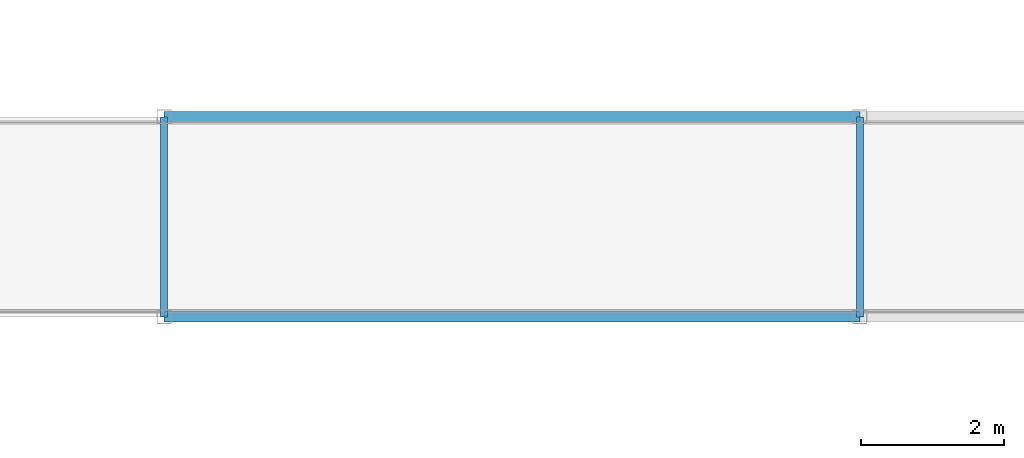
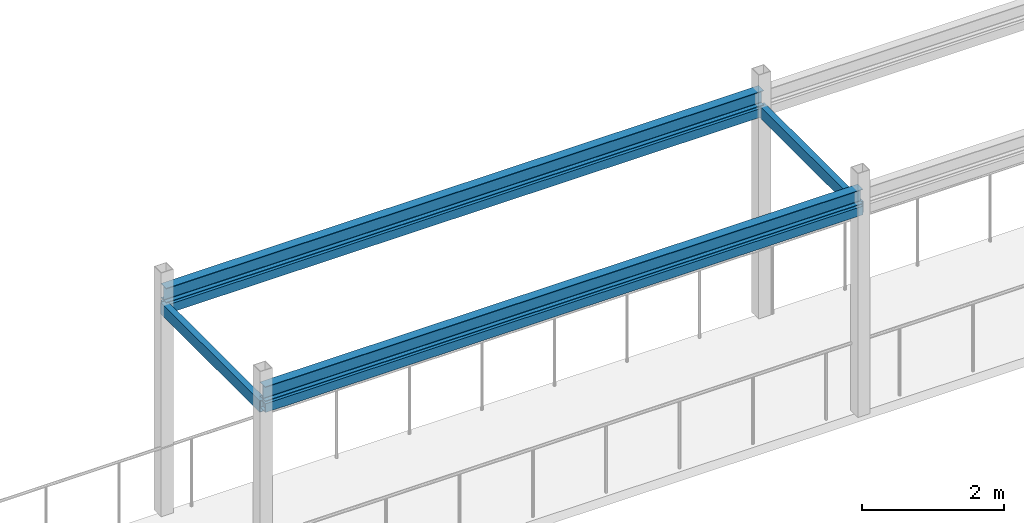
# One storey, part 44 of 147: 4 members, 2 beams.
"""IFC4 building model written with IfcOpenShell, lengths in metres."""

from ifc_helpers import new_model, si_unit, direction, frame, origin, origin_2d, place, context, subcontext, project, spatial, hollow_rectangle, i_section, extrude, material, material_profile, profile_set, type_object, element, save


model = new_model("IFC4")

# Units and contexts
model_context = context("Model", 3, precision=1e-05, world=origin(), true_north=direction((0.0, 1.0)))
body_context = subcontext(model_context, "Body", "Model", "MODEL_VIEW")
ifc_project = project(units=[si_unit("LENGTHUNIT", "METRE"), si_unit("AREAUNIT", "SQUARE_METRE"), si_unit("VOLUMEUNIT", "CUBIC_METRE"), si_unit("PLANEANGLEUNIT", "RADIAN"), si_unit("MASSUNIT", "GRAM", prefix="KILO")], contexts=[model_context])

# Site, building, storey
site_placement = place(None, origin())
site = spatial("IfcSite", under=ifc_project, at=site_placement, CompositionType="ELEMENT")
building_placement = place(site_placement, origin())
building = spatial("IfcBuilding", under=site, at=building_placement, Name="Karori Crest Natural Sciences Institute", CompositionType="ELEMENT")
storey_placement = place(building_placement, frame((0.0, 0.0, 9.10009765625)))
storey = spatial("IfcBuildingStorey", under=building, at=storey_placement, Name="L02", CompositionType="ELEMENT", Elevation=9.10009765625)

# Beams
ifc_material_1 = material(Name="Structural steel AS/NZS 3679.1 Grade 350", Category="steel")
ifc_material_profile_1 = material_profile(ifc_material_1, i_section(OverallWidth=0.14599609375, OverallDepth=0.251953125, WebThickness=0.006103515625, FlangeThickness=0.008544921875, FilletRadius=0.009033203125, at=origin_2d()), Name="250UB31.4")
ifc_profile_set_1 = profile_set([ifc_material_profile_1], Name="Structural steel AS/NZS 3679.1 Grade 350")
beam_type = type_object("IfcBeamType", Name="BT-12", PredefinedType="BEAM", material=ifc_profile_set_1)
for number, where, z_axis, x_axis, name in (
    (1, (51.7900390625, 41.199951171875, 3.760009765625), (1.0, 0.0, 0.0), (0.0, 1.0, 0.0), "Beam B-0736"),
    (2, (51.7900390625, 44.0, 3.760009765625), (1.0, 0.0, 0.0), (0.0, 1.0, 0.0), "Beam B-0737"),
):
    element("IfcBeam", number, at=place(storey_placement, frame(where, z_axis=z_axis, x_axis=x_axis)), inside=storey, type_object=beam_type, Name=name, PredefinedType="BEAM", context=body_context, shape_type="SweptSolid", body=[
        extrude(i_section(OverallWidth=0.14599609375, OverallDepth=0.251953125, WebThickness=0.006103515625, FlangeThickness=0.008544921875, FilletRadius=0.009033203125, at=origin_2d()), origin(), (0.0, 0.0, 1.0), 9.739990234375),
    ])

# Members
ifc_material_2 = material(Name="Hollow structural steel AS/NZS 1163 Grade C350", Category="steel")
ifc_material_profile_2 = material_profile(ifc_material_2, hollow_rectangle(XDim=0.14990234375, YDim=0.14990234375, WallThickness=0.009033203125, at=origin_2d()), Name="SHS150x150x9")
ifc_profile_set_2 = profile_set([ifc_material_profile_2], Name="Hollow structural steel AS/NZS 1163 Grade C350")
member_type_1 = type_object("IfcMemberType", Name="MT-13", PredefinedType="CHORD", material=ifc_profile_set_2)
for number, where, z_axis, x_axis, name in (
    (3, (51.7900390625, 41.199951171875, 3.52001953125), (1.0, 0.0, 0.0), (0.0, 1.0, 0.0), "Member M-0209"),
    (4, (51.7900390625, 44.0, 3.52001953125), (1.0, 0.0, 0.0), (0.0, 1.0, 0.0), "Member M-0210"),
):
    element("IfcMember", number, at=place(storey_placement, frame(where, z_axis=z_axis, x_axis=x_axis)), inside=storey, type_object=member_type_1, Name=name, PredefinedType="CHORD", context=body_context, shape_type="SweptSolid", body=[
        extrude(hollow_rectangle(XDim=0.14990234375, YDim=0.14990234375, WallThickness=0.009033203125, at=origin_2d()), origin(), (0.0, 0.0, 1.0), 9.739990234375),
    ])
ifc_material_profile_3 = material_profile(ifc_material_2, hollow_rectangle(XDim=0.10009765625, YDim=0.199951171875, WallThickness=0.008056640625, at=origin_2d()), Name="RHS200x100x8")
ifc_profile_set_3 = profile_set([ifc_material_profile_3], Name="Hollow structural steel AS/NZS 1163 Grade C350")
member_type_2 = type_object("IfcMemberType", Name="MT-14", PredefinedType="CHORD", material=ifc_profile_set_3)
for number, where, z_axis, x_axis, name in (
    (5, (51.7900390625, 41.199951171875, 3.52001953125), (0.0, 1.0, 0.0), (-1.0, 0.0, 0.0), "Member M-0215"),
    (6, (61.530029296875, 41.199951171875, 3.52001953125), (0.0, 1.0, 0.0), (-1.0, 0.0, 0.0), "Member M-0216"),
):
    element("IfcMember", number, at=place(storey_placement, frame(where, z_axis=z_axis, x_axis=x_axis)), inside=storey, type_object=member_type_2, Name=name, PredefinedType="CHORD", context=body_context, shape_type="SweptSolid", body=[
        extrude(hollow_rectangle(XDim=0.10009765625, YDim=0.199951171875, WallThickness=0.008056640625, at=origin_2d()), origin(), (0.0, 0.0, 1.0), 2.800048828125),
    ])

save(model, "model.ifc")
